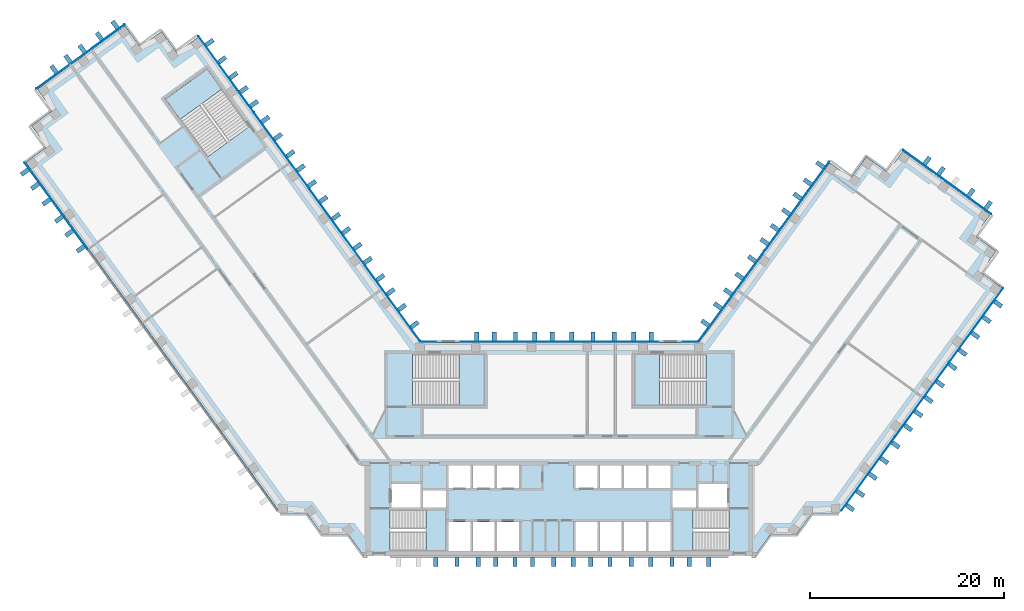
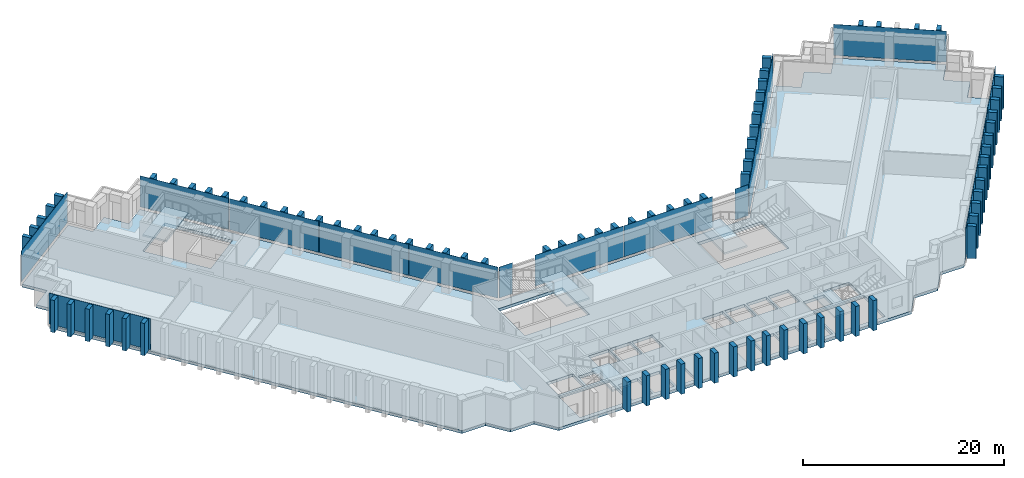
"""IFC4 building model written with IfcOpenShell, lengths in metres."""

from ifc_helpers import new_model, si_unit, direction, frame, origin, origin_2d, place, context, subcontext, project, spatial, polyline, rectangle, outline, extrude, material, layer, layer_set, type_object, element, aggregate, save


model = new_model("IFC4")

# Units and contexts
model_context = context("Model", 3, precision=1e-05, world=origin(), true_north=direction((0.0, 1.0)))
body_context = subcontext(model_context, "Body", "Model", "MODEL_VIEW")
ifc_project = project(units=[si_unit("LENGTHUNIT", "METRE"), si_unit("AREAUNIT", "SQUARE_METRE"), si_unit("VOLUMEUNIT", "CUBIC_METRE"), si_unit("PLANEANGLEUNIT", "RADIAN"), si_unit("MASSUNIT", "GRAM", prefix="KILO")], contexts=[model_context])

# Site, building, storey
site_placement = place(None, origin())
site = spatial("IfcSite", under=ifc_project, at=site_placement, CompositionType="ELEMENT")
building_placement = place(site_placement, origin())
building = spatial("IfcBuilding", under=site, at=building_placement, Name="Quipu Civic Tower", CompositionType="ELEMENT")
storey_1_placement = place(building_placement, frame((0.0, 0.0, 121.0)))
storey_1 = spatial("IfcBuildingStorey", under=building, at=storey_1_placement, Name="L28", CompositionType="ELEMENT", Elevation=121.0)

# Slab
ifc_material_1 = material(Name="Concrete C40/50", Category="concrete")
ifc_layer_1 = layer(ifc_material_1, 0.35009765625)
ifc_layer_set_1 = layer_set([ifc_layer_1], Name="Concrete C40/50")
slab_type_1 = type_object("IfcSlabType", Name="Floor slab 350 C40/50", PredefinedType="FLOOR", material=ifc_layer_set_1)
slab_1_placement = place(storey_1_placement, frame((0.0, 0.0, -0.35009765625)))
element("IfcSlab", 1, at=slab_1_placement, inside=storey_1, type_object=slab_type_1, Name="Floor slab L28", PredefinedType="FLOOR", context=body_context, shape_type="SweptSolid", body=[
    extrude(outline(polyline([(27.909912109375, 29.60498046875), (30.094970703125, 28.014892578125), (31.68505859375, 30.199951171875), (33.864990234375, 28.614990234375), (35.455078125, 30.800048828125), (44.514892578125, 24.215087890625), (42.929931640625, 22.030029296875), (45.114990234375, 20.445068359375), (43.52490234375, 18.260009765625), (45.7099609375, 16.669921875), (28.780029296875, -6.6298828125), (26.080078125, -6.6298828125), (24.489990234375, -8.81494140625), (21.7900390625, -8.81494140625), (20.205078125, -11.0), (-20.205078125, -11.0), (-21.7900390625, -8.81494140625), (-24.489990234375, -8.81494140625), (-26.080078125, -6.6298828125), (-28.780029296875, -6.6298828125), (-55.114990234375, 29.614990234375), (-52.929931640625, 31.205078125), (-54.514892578125, 33.389892578125), (-52.3349609375, 34.97509765625), (-53.919921875, 37.159912109375), (-44.860107421875, 43.739990234375), (-43.27001953125, 41.56005859375), (-41.0849609375, 43.14501953125), (-39.5, 40.9599609375), (-37.31494140625, 42.550048828125), (-14.39501953125, 11.0), (14.39501953125, 11.0), (27.909912109375, 29.60498046875)]), holes=[polyline([(-11.449951171875, -7.5), (-11.449951171875, -10.5), (-9.14990234375, -10.5), (-9.14990234375, -7.5), (-11.449951171875, -7.5)]), polyline([(-8.949951171875, -7.5), (-8.949951171875, -10.5), (-6.64990234375, -10.5), (-6.64990234375, -7.5), (-8.949951171875, -7.5)]), polyline([(-6.449951171875, -7.5), (-6.449951171875, -10.5), (-4.14990234375, -10.5), (-4.14990234375, -7.5), (-6.449951171875, -7.5)]), polyline([(-11.705078125, -10.4951171875), (-11.705078125, -6.2548828125), (-17.4951171875, -6.2548828125), (-17.4951171875, -10.4951171875), (-11.705078125, -10.4951171875)]), polyline([(-11.699951171875, -4.25), (-14.10009765625, -4.25), (-14.10009765625, -6.0), (-11.699951171875, -6.0), (-11.699951171875, -4.25)]), polyline([(-17.35009765625, -3.60009765625), (-17.35009765625, -6.0), (-14.35009765625, -6.0), (-14.35009765625, -3.60009765625), (-17.35009765625, -3.60009765625)]), polyline([(-9.14990234375, -1.699951171875), (-11.449951171875, -1.699951171875), (-11.449951171875, -4.0), (-9.14990234375, -4.0), (-9.14990234375, -1.699951171875)]), polyline([(-6.64990234375, -1.699951171875), (-8.949951171875, -1.699951171875), (-8.949951171875, -4.0), (-6.64990234375, -4.0), (-6.64990234375, -1.699951171875)]), polyline([(-6.449951171875, -1.699951171875), (-6.449951171875, -4.0), (-4.14990234375, -4.0), (-4.14990234375, -1.699951171875), (-6.449951171875, -1.699951171875)]), polyline([(3.949951171875, -1.699951171875), (1.64990234375, -1.699951171875), (1.64990234375, -4.0), (3.949951171875, -4.0), (3.949951171875, -1.699951171875)]), polyline([(-7.7548828125, 4.5048828125), (-7.7548828125, 9.844970703125), (-15.14501953125, 9.844970703125), (-15.14501953125, 4.5048828125), (-7.7548828125, 4.5048828125)]), polyline([(-40.68505859375, 36.135009765625), (-36.344970703125, 30.159912109375), (-32.02490234375, 33.300048828125), (-36.364990234375, 39.27490234375), (-40.68505859375, 36.135009765625)]), polyline([(3.949951171875, -7.5), (1.64990234375, -7.5), (1.64990234375, -10.5), (3.949951171875, -10.5), (3.949951171875, -7.5)]), polyline([(6.449951171875, -7.5), (4.14990234375, -7.5), (4.14990234375, -10.5), (6.449951171875, -10.5), (6.449951171875, -7.5)]), polyline([(6.64990234375, -7.5), (6.64990234375, -10.5), (8.949951171875, -10.5), (8.949951171875, -7.5), (6.64990234375, -7.5)]), polyline([(11.449951171875, -7.5), (9.14990234375, -7.5), (9.14990234375, -10.5), (11.449951171875, -10.5), (11.449951171875, -7.5)]), polyline([(11.705078125, -6.2548828125), (11.705078125, -10.4951171875), (17.4951171875, -10.4951171875), (17.4951171875, -6.2548828125), (11.705078125, -6.2548828125)]), polyline([(11.699951171875, -4.25), (11.699951171875, -6.0), (14.10009765625, -6.0), (14.10009765625, -4.25), (11.699951171875, -4.25)]), polyline([(17.35009765625, -3.60009765625), (14.35009765625, -3.60009765625), (14.35009765625, -6.0), (17.35009765625, -6.0), (17.35009765625, -3.60009765625)]), polyline([(6.449951171875, -1.699951171875), (4.14990234375, -1.699951171875), (4.14990234375, -4.0), (6.449951171875, -4.0), (6.449951171875, -1.699951171875)]), polyline([(6.64990234375, -1.699951171875), (6.64990234375, -4.0), (8.949951171875, -4.0), (8.949951171875, -1.699951171875), (6.64990234375, -1.699951171875)]), polyline([(11.449951171875, -1.699951171875), (9.14990234375, -1.699951171875), (9.14990234375, -4.0), (11.449951171875, -4.0), (11.449951171875, -1.699951171875)]), polyline([(7.7548828125, 9.844970703125), (7.7548828125, 4.5048828125), (15.14501953125, 4.5048828125), (15.14501953125, 9.844970703125), (7.7548828125, 9.844970703125)])]), origin(), (0.0, 0.0, 1.0), 0.35009765625),
])

# Storey
storey_2_placement = place(building_placement, frame((0.0, 0.0, 125.0)))
storey_2 = spatial("IfcBuildingStorey", under=building, at=storey_2_placement, Name="L29", CompositionType="ELEMENT", Elevation=125.0)

# Curtain wall, plates
ifc_material_2 = material(Name="Insulated glass unit", Category="glass")
curtain_wall_type = type_object("IfcCurtainWallType", Name="Office curtain wall CW1", PredefinedType="NOTDEFINED", material=ifc_material_2)
curtain_wall_1_placement = place(storey_2_placement, origin())
curtain_wall_1 = element("IfcCurtainWall", 2, at=curtain_wall_1_placement, inside=storey_2, type_object=curtain_wall_type, Name="Office curtain wall CW1 L28 run 1", PredefinedType="NOTDEFINED")
ifc_material_3 = material(Name="Insulated glass unit", Category="glass")
ifc_layer_2 = layer(ifc_material_3, 0.028076171875)
ifc_layer_set_2 = layer_set([ifc_layer_2], Name="Insulated glass unit")
plate_type_1 = type_object("IfcPlateType", Name="Glass panel CW1", PredefinedType="CURTAIN_PANEL", material=ifc_layer_set_2)
plate_1_placement = place(storey_1_placement, frame((-17.224609375, 15.064697265625, 0.240234375), z_axis=(0.0, 0.0, 1.0), x_axis=(-0.587785887566, 0.809016532822, 0.0)))
plate_1 = element("IfcPlate", 3, at=plate_1_placement, inside=storey_1, type_object=plate_type_1, Name="CW1 panel 1.1", PredefinedType="CURTAIN_PANEL", context=body_context, shape_type="SweptSolid", body=[
    extrude(rectangle(XDim=9.64111328125, YDim=0.028076171875, at=origin_2d()), origin(), (0.0, 0.0, 1.0), 3.760009765625),
])
plate_2_placement = place(storey_1_placement, frame((-22.950439453125, 22.9453125, 0.240234375), z_axis=(0.0, 0.0, 1.0), x_axis=(-0.587785887566, 0.809016532822, 0.0)))
plate_2 = element("IfcPlate", 4, at=plate_2_placement, inside=storey_1, type_object=plate_type_1, Name="CW1 panel 2.1", PredefinedType="CURTAIN_PANEL", context=body_context, shape_type="SweptSolid", body=[
    extrude(rectangle(XDim=9.68115234375, YDim=0.028076171875, at=origin_2d()), origin(), (0.0, 0.0, 1.0), 3.760009765625),
])
plate_3_placement = place(storey_1_placement, frame((-28.687744140625, 30.84228515625, 0.240234375), z_axis=(0.0, 0.0, 1.0), x_axis=(-0.587785887566, 0.809016532822, 0.0)))
plate_3 = element("IfcPlate", 5, at=plate_3_placement, inside=storey_1, type_object=plate_type_1, Name="CW1 panel 3.1", PredefinedType="CURTAIN_PANEL", context=body_context, shape_type="SweptSolid", body=[
    extrude(rectangle(XDim=9.68115234375, YDim=0.028076171875, at=origin_2d()), origin(), (0.0, 0.0, 1.0), 3.760009765625),
])
plate_4_placement = place(storey_1_placement, frame((-34.413330078125, 38.722900390625, 0.240234375), z_axis=(0.0, 0.0, 1.0), x_axis=(-0.587785887566, 0.809016532822, 0.0)))
plate_4 = element("IfcPlate", 6, at=plate_4_placement, inside=storey_1, type_object=plate_type_1, Name="CW1 panel 4.1", PredefinedType="CURTAIN_PANEL", context=body_context, shape_type="SweptSolid", body=[
    extrude(rectangle(XDim=9.64111328125, YDim=0.028076171875, at=origin_2d()), origin(), (0.0, 0.0, 1.0), 3.760009765625),
])
aggregate(curtain_wall_1, [plate_1, plate_2, plate_3, plate_4])

# Curtain wall, plate
curtain_wall_2_placement = place(storey_2_placement, origin())
curtain_wall_2 = element("IfcCurtainWall", 7, at=curtain_wall_2_placement, inside=storey_2, type_object=curtain_wall_type, Name="Office curtain wall CW1 L28 run 6", PredefinedType="NOTDEFINED")
plate_5_placement = place(storey_1_placement, frame((-49.447998046875, 40.53173828125, 0.240234375), z_axis=(0.0, 0.0, 1.0), x_axis=(-0.809019348124, -0.587782012621, 0.0)))
plate_5 = element("IfcPlate", 8, at=plate_5_placement, inside=storey_1, type_object=plate_type_1, Name="CW1 panel 1.1", PredefinedType="CURTAIN_PANEL", context=body_context, shape_type="SweptSolid", body=[
    extrude(rectangle(XDim=11.239990234375, YDim=0.028076171875, at=origin_2d()), origin(), (0.0, 0.0, 1.0), 3.760009765625),
])
aggregate(curtain_wall_2, [plate_5])

curtain_wall_3_placement = place(storey_2_placement, origin())
curtain_wall_3 = element("IfcCurtainWall", 9, at=curtain_wall_3_placement, inside=storey_2, type_object=curtain_wall_type, Name="Office curtain wall CW1 L28 run 11", PredefinedType="NOTDEFINED")
plate_6_placement = place(storey_1_placement, frame((-51.967529296875, 25.114990234375, 0.240234375), z_axis=(0.0, 0.0, 1.0), x_axis=(0.587785559869, -0.809016770908, 0.0)))
plate_6 = element("IfcPlate", 10, at=plate_6_placement, inside=storey_1, type_object=plate_type_1, Name="CW1 panel 1.1", PredefinedType="CURTAIN_PANEL", context=body_context, shape_type="SweptSolid", body=[
    extrude(rectangle(XDim=11.022705078125, YDim=0.028076171875, at=origin_2d()), origin(), (0.0, 0.0, 1.0), 3.760009765625),
])
aggregate(curtain_wall_3, [plate_6])

# Curtain wall, plates
curtain_wall_4_placement = place(storey_2_placement, origin())
curtain_wall_4 = element("IfcCurtainWall", 11, at=curtain_wall_4_placement, inside=storey_2, type_object=curtain_wall_type, Name="Office curtain wall CW1 L28 run 23", PredefinedType="NOTDEFINED")
plate_7_placement = place(storey_1_placement, frame((31.86669921875, -2.551513671875, 0.240234375), z_axis=(0.0, 0.0, 1.0), x_axis=(0.587785375786, 0.809016904652, 0.0)))
plate_7 = element("IfcPlate", 12, at=plate_7_placement, inside=storey_1, type_object=plate_type_1, Name="CW1 panel 1.1", PredefinedType="CURTAIN_PANEL", context=body_context, shape_type="SweptSolid", body=[
    extrude(rectangle(XDim=9.403564453125, YDim=0.028076171875, at=origin_2d()), origin(), (0.0, 0.0, 1.0), 3.760009765625),
])
plate_8_placement = place(storey_1_placement, frame((37.45263671875, 5.13720703125, 0.240234375), z_axis=(0.0, 0.0, 1.0), x_axis=(0.587785375786, 0.809016904652, 0.0)))
plate_8 = element("IfcPlate", 13, at=plate_8_placement, inside=storey_1, type_object=plate_type_1, Name="CW1 panel 2.1", PredefinedType="CURTAIN_PANEL", context=body_context, shape_type="SweptSolid", body=[
    extrude(rectangle(XDim=9.443603515625, YDim=0.028076171875, at=origin_2d()), origin(), (0.0, 0.0, 1.0), 3.760009765625),
])
plate_9_placement = place(storey_1_placement, frame((43.038818359375, 12.82568359375, 0.240234375), z_axis=(0.0, 0.0, 1.0), x_axis=(0.587785375786, 0.809016904652, 0.0)))
plate_9 = element("IfcPlate", 14, at=plate_9_placement, inside=storey_1, type_object=plate_type_1, Name="CW1 panel 3.1", PredefinedType="CURTAIN_PANEL", context=body_context, shape_type="SweptSolid", body=[
    extrude(rectangle(XDim=9.403564453125, YDim=0.028076171875, at=origin_2d()), origin(), (0.0, 0.0, 1.0), 3.760009765625),
])
aggregate(curtain_wall_4, [plate_7, plate_8, plate_9])

# Curtain wall, plate
curtain_wall_5_placement = place(storey_2_placement, origin())
curtain_wall_5 = element("IfcCurtainWall", 15, at=curtain_wall_5_placement, inside=storey_2, type_object=curtain_wall_type, Name="Office curtain wall CW1 L28 run 25", PredefinedType="NOTDEFINED")
plate_10_placement = place(storey_1_placement, frame((40.04345703125, 27.58740234375, 0.240234375), z_axis=(0.0, 0.0, 1.0), x_axis=(-0.809015176832, 0.587787753918, 0.0)))
plate_10 = element("IfcPlate", 16, at=plate_10_placement, inside=storey_1, type_object=plate_type_1, Name="CW1 panel 1.1", PredefinedType="CURTAIN_PANEL", context=body_context, shape_type="SweptSolid", body=[
    extrude(rectangle(XDim=11.239990234375, YDim=0.028076171875, at=origin_2d()), origin(), (0.0, 0.0, 1.0), 3.760009765625),
])
aggregate(curtain_wall_5, [plate_10])

# Curtain wall, plates
curtain_wall_6_placement = place(storey_2_placement, origin())
curtain_wall_6 = element("IfcCurtainWall", 17, at=curtain_wall_6_placement, inside=storey_2, type_object=curtain_wall_type, Name="Office curtain wall CW1 L28 run 30", PredefinedType="NOTDEFINED")
plate_11_placement = place(storey_1_placement, frame((24.491455078125, 25.066162109375, 0.240234375), z_axis=(0.0, 0.0, 1.0), x_axis=(-0.587788727052, -0.809014469803, 0.0)))
plate_11 = element("IfcPlate", 18, at=plate_11_placement, inside=storey_1, type_object=plate_type_1, Name="CW1 panel 1.1", PredefinedType="CURTAIN_PANEL", context=body_context, shape_type="SweptSolid", body=[
    extrude(rectangle(XDim=11.402099609375, YDim=0.028076171875, at=origin_2d()), origin(), (0.0, 0.0, 1.0), 3.760009765625),
])
plate_12_placement = place(storey_1_placement, frame((17.7421875, 15.777099609375, 0.240234375), z_axis=(0.0, 0.0, 1.0), x_axis=(-0.587788727052, -0.809014469803, 0.0)))
plate_12 = element("IfcPlate", 19, at=plate_12_placement, inside=storey_1, type_object=plate_type_1, Name="CW1 panel 2.1", PredefinedType="CURTAIN_PANEL", context=body_context, shape_type="SweptSolid", body=[
    extrude(rectangle(XDim=11.402099609375, YDim=0.028076171875, at=origin_2d()), origin(), (0.0, 0.0, 1.0), 3.760009765625),
])
aggregate(curtain_wall_6, [plate_11, plate_12])

# Curtain wall, plate
curtain_wall_7_placement = place(storey_2_placement, origin())
curtain_wall_7 = element("IfcCurtainWall", 20, at=curtain_wall_7_placement, inside=storey_2, type_object=curtain_wall_type, Name="Office curtain wall CW1 L28 run 31", PredefinedType="NOTDEFINED")
plate_13_placement = place(storey_1_placement, frame((13.49951171875, 11.10009765625, 0.240234375), z_axis=(0.0, 0.0, 1.0), x_axis=(-1.0, 0.0, 0.0)))
plate_13 = element("IfcPlate", 21, at=plate_13_placement, inside=storey_1, type_object=plate_type_1, Name="CW1 panel 1.1", PredefinedType="CURTAIN_PANEL", context=body_context, shape_type="SweptSolid", body=[
    extrude(rectangle(XDim=1.529296875, YDim=0.028076171875, at=origin_2d()), origin(), (0.0, 0.0, 1.0), 3.760009765625),
])
aggregate(curtain_wall_7, [plate_13])

# Curtain wall, plates
curtain_wall_8_placement = place(storey_2_placement, origin())
curtain_wall_8 = element("IfcCurtainWall", 22, at=curtain_wall_8_placement, inside=storey_2, type_object=curtain_wall_type, Name="Office curtain wall CW1 L28 run 33", PredefinedType="NOTDEFINED")
plate_14_placement = place(storey_1_placement, frame((5.11181640625, 11.10009765625, 0.240234375), z_axis=(0.0, 0.0, 1.0), x_axis=(-1.0, 0.0, 0.0)))
plate_14 = element("IfcPlate", 23, at=plate_14_placement, inside=storey_1, type_object=plate_type_1, Name="CW1 panel 1.1", PredefinedType="CURTAIN_PANEL", context=body_context, shape_type="SweptSolid", body=[
    extrude(rectangle(XDim=10.1435546875, YDim=0.028076171875, at=origin_2d()), origin(), (0.0, 0.0, 1.0), 3.760009765625),
])
plate_15_placement = place(storey_1_placement, frame((-5.11181640625, 11.10009765625, 0.240234375), z_axis=(0.0, 0.0, 1.0), x_axis=(-1.0, 0.0, 0.0)))
plate_15 = element("IfcPlate", 24, at=plate_15_placement, inside=storey_1, type_object=plate_type_1, Name="CW1 panel 2.1", PredefinedType="CURTAIN_PANEL", context=body_context, shape_type="SweptSolid", body=[
    extrude(rectangle(XDim=10.1435546875, YDim=0.028076171875, at=origin_2d()), origin(), (0.0, 0.0, 1.0), 3.760009765625),
])
aggregate(curtain_wall_8, [plate_14, plate_15])

# Curtain wall, plate
curtain_wall_9_placement = place(storey_2_placement, origin())
curtain_wall_9 = element("IfcCurtainWall", 25, at=curtain_wall_9_placement, inside=storey_2, type_object=curtain_wall_type, Name="Office curtain wall CW1 L28 run 35", PredefinedType="NOTDEFINED")
plate_16_placement = place(storey_1_placement, frame((-13.49951171875, 11.10009765625, 0.240234375), z_axis=(0.0, 0.0, 1.0), x_axis=(-1.0, 0.0, 0.0)))
plate_16 = element("IfcPlate", 26, at=plate_16_placement, inside=storey_1, type_object=plate_type_1, Name="CW1 panel 1.1", PredefinedType="CURTAIN_PANEL", context=body_context, shape_type="SweptSolid", body=[
    extrude(rectangle(XDim=1.529296875, YDim=0.028076171875, at=origin_2d()), origin(), (0.0, 0.0, 1.0), 3.760009765625),
])
aggregate(curtain_wall_9, [plate_16])

# Plates
ifc_material_4 = material(Name="Precast concrete C40/50", Category="concrete")
plate_type_2 = type_object("IfcPlateType", Name="Precast fin F1", PredefinedType="SHEET", material=ifc_material_4)
for number, where, z_axis, x_axis, name in (
    (27, (-14.942138671875, 12.8583984375, 0.080078125), (0.0, 0.0, 1.0), (-0.587784944053, 0.809017218324, 0.0), "Precast fin F1 L28.1.1"),
    (28, (-16.235107421875, 14.638427734375, 0.080078125), (0.0, 0.0, 1.0), (-0.587784944053, 0.809017218324, 0.0), "Precast fin F1 L28.1.2"),
    (29, (-17.41064453125, 16.25634765625, 0.080078125), (0.0, 0.0, 1.0), (-0.587784944053, 0.809017218324, 0.0), "Precast fin F1 L28.1.3"),
    (30, (-18.46875, 17.712646484375, 0.080078125), (0.0, 0.0, 1.0), (-0.587784944053, 0.809017218324, 0.0), "Precast fin F1 L28.1.4"),
    (31, (-19.761962890625, 19.492431640625, 0.080078125), (0.0, 0.0, 1.0), (-0.587784944053, 0.809017218324, 0.0), "Precast fin F1 L28.1.5"),
    (32, (-20.81982421875, 20.94873046875, 0.080078125), (0.0, 0.0, 1.0), (-0.587784944053, 0.809017218324, 0.0), "Precast fin F1 L28.1.6"),
    (33, (-21.995361328125, 22.566650390625, 0.080078125), (0.0, 0.0, 1.0), (-0.587784944053, 0.809017218324, 0.0), "Precast fin F1 L28.1.7"),
    (34, (-23.053466796875, 24.02294921875, 0.080078125), (0.0, 0.0, 1.0), (-0.587784944053, 0.809017218324, 0.0), "Precast fin F1 L28.1.8"),
    (35, (-24.3466796875, 25.802734375, 0.080078125), (0.0, 0.0, 1.0), (-0.587784944053, 0.809017218324, 0.0), "Precast fin F1 L28.1.9"),
    (36, (-25.522216796875, 27.4208984375, 0.080078125), (0.0, 0.0, 1.0), (-0.587784944053, 0.809017218324, 0.0), "Precast fin F1 L28.1.10"),
    (37, (-26.69775390625, 29.038818359375, 0.080078125), (0.0, 0.0, 1.0), (-0.587784944053, 0.809017218324, 0.0), "Precast fin F1 L28.1.11"),
    (38, (-27.755859375, 30.4951171875, 0.080078125), (0.0, 0.0, 1.0), (-0.587784944053, 0.809017218324, 0.0), "Precast fin F1 L28.1.12"),
    (39, (-29.048828125, 32.27490234375, 0.080078125), (0.0, 0.0, 1.0), (-0.587784944053, 0.809017218324, 0.0), "Precast fin F1 L28.1.13"),
    (40, (-30.342041015625, 34.0546875, 0.080078125), (0.0, 0.0, 1.0), (-0.587784944053, 0.809017218324, 0.0), "Precast fin F1 L28.1.14"),
    (41, (-31.517578125, 35.6728515625, 0.080078125), (0.0, 0.0, 1.0), (-0.587784944053, 0.809017218324, 0.0), "Precast fin F1 L28.1.15"),
    (42, (-32.57568359375, 37.129150390625, 0.080078125), (0.0, 0.0, 1.0), (-0.587784944053, 0.809017218324, 0.0), "Precast fin F1 L28.1.16"),
    (43, (-33.633544921875, 38.585205078125, 0.080078125), (0.0, 0.0, 1.0), (-0.587784944053, 0.809017218324, 0.0), "Precast fin F1 L28.1.17"),
    (44, (-34.80908203125, 40.203369140625, 0.080078125), (0.0, 0.0, 1.0), (-0.587784944053, 0.809017218324, 0.0), "Precast fin F1 L28.1.18"),
    (45, (-36.102294921875, 41.983154296875, 0.080078125), (0.0, 0.0, 1.0), (-0.587784944053, 0.809017218324, 0.0), "Precast fin F1 L28.1.19"),
    (46, (-45.867919921875, 43.812744140625, 0.080078125), (0.0, 0.0, 1.0), (-0.809021318545, -0.587779300537, 0.0), "Precast fin F1 L28.6.1"),
    (47, (-47.48583984375, 42.63720703125, 0.080078125), (0.0, 0.0, 1.0), (-0.809021318545, -0.587779300537, 0.0), "Precast fin F1 L28.6.2"),
    (48, (-49.265625, 41.343994140625, 0.080078125), (0.0, 0.0, 1.0), (-0.809021318545, -0.587779300537, 0.0), "Precast fin F1 L28.6.3"),
    (49, (-50.721923828125, 40.2861328125, 0.080078125), (0.0, 0.0, 1.0), (-0.809021318545, -0.587779300537, 0.0), "Precast fin F1 L28.6.4"),
    (50, (-52.17822265625, 39.22802734375, 0.080078125), (0.0, 0.0, 1.0), (-0.809021318545, -0.587779300537, 0.0), "Precast fin F1 L28.6.5"),
    (51, (-55.184814453125, 28.607421875, 0.080078125), (0.0, 0.0, 1.0), (0.587785716149, -0.809016657363, 0.0), "Precast fin F1 L28.11.1"),
    (52, (-54.126708984375, 27.151123046875, 0.080078125), (0.0, 0.0, 1.0), (0.587785716149, -0.809016657363, 0.0), "Precast fin F1 L28.11.2"),
    (53, (-52.951171875, 25.533203125, 0.080078125), (0.0, 0.0, 1.0), (0.587785716149, -0.809016657363, 0.0), "Precast fin F1 L28.11.3"),
    (54, (-51.657958984375, 23.75341796875, 0.080078125), (0.0, 0.0, 1.0), (0.587785716149, -0.809016657363, 0.0), "Precast fin F1 L28.11.4"),
    (55, (-50.60009765625, 22.297119140625, 0.080078125), (0.0, 0.0, 1.0), (0.587785716149, -0.809016657363, 0.0), "Precast fin F1 L28.11.5"),
    (56, (-49.42431640625, 20.67919921875, 0.080078125), (0.0, 0.0, 1.0), (0.587785716149, -0.809016657363, 0.0), "Precast fin F1 L28.11.6"),
):
    element("IfcPlate", number, at=place(storey_1_placement, frame(where, z_axis=z_axis, x_axis=x_axis)), inside=storey_1, type_object=plate_type_2, Name=name, PredefinedType="SHEET", context=body_context, shape_type="SweptSolid", body=[
        extrude(rectangle(XDim=0.449951171875, YDim=0.89990234375, at=origin_2d()), origin(), (0.0, 0.0, 1.0), 3.919921875),
    ])
for number, where, z_axis, x_axis, name in (
    (57, (-12.77490234375, -11.637939453125, 0.0), (0.0, 0.0, 1.0), (1.0, 0.0, 0.0), "Precast fin F1 L28.17.3"),
    (58, (-10.574951171875, -11.637939453125, 0.0), (0.0, 0.0, 1.0), (1.0, 0.0, 0.0), "Precast fin F1 L28.17.4"),
    (59, (-8.375, -11.637939453125, 0.0), (0.0, 0.0, 1.0), (1.0, 0.0, 0.0), "Precast fin F1 L28.17.5"),
    (60, (-6.574951171875, -11.637939453125, 0.0), (0.0, 0.0, 1.0), (1.0, 0.0, 0.0), "Precast fin F1 L28.17.6"),
    (61, (-4.574951171875, -11.637939453125, 0.0), (0.0, 0.0, 1.0), (1.0, 0.0, 0.0), "Precast fin F1 L28.17.7"),
    (62, (-2.77490234375, -11.637939453125, 0.0), (0.0, 0.0, 1.0), (1.0, 0.0, 0.0), "Precast fin F1 L28.17.8"),
    (63, (-0.574951171875, -11.637939453125, 0.0), (0.0, 0.0, 1.0), (1.0, 0.0, 0.0), "Precast fin F1 L28.17.9"),
    (64, (1.425048828125, -11.637939453125, 0.0), (0.0, 0.0, 1.0), (1.0, 0.0, 0.0), "Precast fin F1 L28.17.10"),
    (65, (3.22509765625, -11.637939453125, 0.0), (0.0, 0.0, 1.0), (1.0, 0.0, 0.0), "Precast fin F1 L28.17.11"),
    (66, (5.22509765625, -11.637939453125, 0.0), (0.0, 0.0, 1.0), (1.0, 0.0, 0.0), "Precast fin F1 L28.17.12"),
    (67, (7.425048828125, -11.637939453125, 0.0), (0.0, 0.0, 1.0), (1.0, 0.0, 0.0), "Precast fin F1 L28.17.13"),
    (68, (9.425048828125, -11.637939453125, 0.0), (0.0, 0.0, 1.0), (1.0, 0.0, 0.0), "Precast fin F1 L28.17.14"),
    (69, (11.625, -11.637939453125, 0.0), (0.0, 0.0, 1.0), (1.0, 0.0, 0.0), "Precast fin F1 L28.17.15"),
    (70, (13.425048828125, -11.637939453125, 0.0), (0.0, 0.0, 1.0), (1.0, 0.0, 0.0), "Precast fin F1 L28.17.16"),
    (71, (15.425048828125, -11.637939453125, 0.0), (0.0, 0.0, 1.0), (1.0, 0.0, 0.0), "Precast fin F1 L28.17.17"),
):
    element("IfcPlate", number, at=place(storey_1_placement, frame(where, z_axis=z_axis, x_axis=x_axis)), inside=storey_1, type_object=plate_type_2, Name=name, PredefinedType="SHEET", context=body_context, shape_type="SweptSolid", body=[
        extrude(rectangle(XDim=0.449951171875, YDim=0.89990234375, at=origin_2d()), origin(), (0.0, 0.0, 1.0), 3.64990234375),
    ])
for number, where, z_axis, x_axis, name in (
    (72, (30.014404296875, -6.036376953125, 0.080078125), (0.0, 0.0, 1.0), (0.587785620359, 0.809016726959, 0.0), "Precast fin F1 L28.23.1"),
    (73, (31.072509765625, -4.580078125, 0.080078125), (0.0, 0.0, 1.0), (0.587785620359, 0.809016726959, 0.0), "Precast fin F1 L28.23.2"),
    (74, (32.36572265625, -2.80029296875, 0.080078125), (0.0, 0.0, 1.0), (0.587785620359, 0.809016726959, 0.0), "Precast fin F1 L28.23.3"),
    (75, (33.541259765625, -1.18212890625, 0.080078125), (0.0, 0.0, 1.0), (0.587785620359, 0.809016726959, 0.0), "Precast fin F1 L28.23.4"),
    (76, (34.716796875, 0.435791015625, 0.080078125), (0.0, 0.0, 1.0), (0.587785620359, 0.809016726959, 0.0), "Precast fin F1 L28.23.5"),
    (77, (36.010009765625, 2.215576171875, 0.080078125), (0.0, 0.0, 1.0), (0.587785620359, 0.809016726959, 0.0), "Precast fin F1 L28.23.6"),
    (78, (37.06787109375, 3.671875, 0.080078125), (0.0, 0.0, 1.0), (0.587785620359, 0.809016726959, 0.0), "Precast fin F1 L28.23.7"),
    (79, (38.1259765625, 5.128173828125, 0.080078125), (0.0, 0.0, 1.0), (0.587785620359, 0.809016726959, 0.0), "Precast fin F1 L28.23.8"),
    (80, (39.301513671875, 6.74609375, 0.080078125), (0.0, 0.0, 1.0), (0.587785620359, 0.809016726959, 0.0), "Precast fin F1 L28.23.9"),
    (81, (40.5947265625, 8.52587890625, 0.080078125), (0.0, 0.0, 1.0), (0.587785620359, 0.809016726959, 0.0), "Precast fin F1 L28.23.10"),
    (82, (41.652587890625, 9.982177734375, 0.080078125), (0.0, 0.0, 1.0), (0.587785620359, 0.809016726959, 0.0), "Precast fin F1 L28.23.11"),
    (83, (42.94580078125, 11.761962890625, 0.080078125), (0.0, 0.0, 1.0), (0.587785620359, 0.809016726959, 0.0), "Precast fin F1 L28.23.12"),
    (84, (44.121337890625, 13.380126953125, 0.080078125), (0.0, 0.0, 1.0), (0.587785620359, 0.809016726959, 0.0), "Precast fin F1 L28.23.13"),
    (85, (45.296875, 14.998046875, 0.080078125), (0.0, 0.0, 1.0), (0.587785620359, 0.809016726959, 0.0), "Precast fin F1 L28.23.14"),
    (86, (44.270263671875, 25.1962890625, 0.080078125), (0.0, 0.0, 1.0), (-0.809017072762, 0.587785144401, 0.0), "Precast fin F1 L28.25.1"),
    (87, (42.490478515625, 26.489501953125, 0.080078125), (0.0, 0.0, 1.0), (-0.809017072762, 0.587785144401, 0.0), "Precast fin F1 L28.25.2"),
    (88, (39.416259765625, 28.72314453125, 0.080078125), (0.0, 0.0, 1.0), (-0.809017072762, 0.587785144401, 0.0), "Precast fin F1 L28.25.4"),
    (89, (37.9599609375, 29.781005859375, 0.080078125), (0.0, 0.0, 1.0), (-0.809017072762, 0.587785144401, 0.0), "Precast fin F1 L28.25.5"),
    (90, (26.93017578125, 29.358642578125, 0.080078125), (0.0, 0.0, 1.0), (-0.587787133119, -0.809015627871, 0.0), "Precast fin F1 L28.30.1"),
    (91, (25.636962890625, 27.578857421875, 0.080078125), (0.0, 0.0, 1.0), (-0.587787133119, -0.809015627871, 0.0), "Precast fin F1 L28.30.2"),
    (92, (24.578857421875, 26.12255859375, 0.080078125), (0.0, 0.0, 1.0), (-0.587787133119, -0.809015627871, 0.0), "Precast fin F1 L28.30.3"),
    (93, (23.4033203125, 24.50439453125, 0.080078125), (0.0, 0.0, 1.0), (-0.587787133119, -0.809015627871, 0.0), "Precast fin F1 L28.30.4"),
    (94, (22.227783203125, 22.886474609375, 0.080078125), (0.0, 0.0, 1.0), (-0.587787133119, -0.809015627871, 0.0), "Precast fin F1 L28.30.5"),
    (95, (21.169677734375, 21.43017578125, 0.080078125), (0.0, 0.0, 1.0), (-0.587787133119, -0.809015627871, 0.0), "Precast fin F1 L28.30.6"),
    (96, (19.876708984375, 19.650390625, 0.080078125), (0.0, 0.0, 1.0), (-0.587787133119, -0.809015627871, 0.0), "Precast fin F1 L28.30.7"),
    (97, (18.58349609375, 17.87060546875, 0.080078125), (0.0, 0.0, 1.0), (-0.587787133119, -0.809015627871, 0.0), "Precast fin F1 L28.30.8"),
    (98, (17.407958984375, 16.25244140625, 0.080078125), (0.0, 0.0, 1.0), (-0.587787133119, -0.809015627871, 0.0), "Precast fin F1 L28.30.9"),
    (99, (16.349853515625, 14.79638671875, 0.080078125), (0.0, 0.0, 1.0), (-0.587787133119, -0.809015627871, 0.0), "Precast fin F1 L28.30.10"),
    (100, (15.056884765625, 13.016357421875, 0.080078125), (0.0, 0.0, 1.0), (-0.587787133119, -0.809015627871, 0.0), "Precast fin F1 L28.30.11"),
    (101, (9.47509765625, 11.64990234375, 0.080078125), (0.0, 0.0, 1.0), (-1.0, 0.0, 0.0), "Precast fin F1 L28.33.1"),
    (102, (7.675048828125, 11.64990234375, 0.080078125), (0.0, 0.0, 1.0), (-1.0, 0.0, 0.0), "Precast fin F1 L28.33.2"),
    (103, (5.675048828125, 11.64990234375, 0.080078125), (0.0, 0.0, 1.0), (-1.0, 0.0, 0.0), "Precast fin F1 L28.33.3"),
    (104, (3.47509765625, 11.64990234375, 0.080078125), (0.0, 0.0, 1.0), (-1.0, 0.0, 0.0), "Precast fin F1 L28.33.4"),
    (105, (1.27490234375, 11.64990234375, 0.080078125), (0.0, 0.0, 1.0), (-1.0, 0.0, 0.0), "Precast fin F1 L28.33.5"),
    (106, (-0.72509765625, 11.64990234375, 0.080078125), (0.0, 0.0, 1.0), (-1.0, 0.0, 0.0), "Precast fin F1 L28.33.6"),
    (107, (-2.52490234375, 11.64990234375, 0.080078125), (0.0, 0.0, 1.0), (-1.0, 0.0, 0.0), "Precast fin F1 L28.33.7"),
    (108, (-4.52490234375, 11.64990234375, 0.080078125), (0.0, 0.0, 1.0), (-1.0, 0.0, 0.0), "Precast fin F1 L28.33.8"),
    (109, (-6.72509765625, 11.64990234375, 0.080078125), (0.0, 0.0, 1.0), (-1.0, 0.0, 0.0), "Precast fin F1 L28.33.9"),
    (110, (-8.52490234375, 11.64990234375, 0.080078125), (0.0, 0.0, 1.0), (-1.0, 0.0, 0.0), "Precast fin F1 L28.33.10"),
):
    element("IfcPlate", number, at=place(storey_1_placement, frame(where, z_axis=z_axis, x_axis=x_axis)), inside=storey_1, type_object=plate_type_2, Name=name, PredefinedType="SHEET", context=body_context, shape_type="SweptSolid", body=[
        extrude(rectangle(XDim=0.449951171875, YDim=0.89990234375, at=origin_2d()), origin(), (0.0, 0.0, 1.0), 3.919921875),
    ])

# Stair, slab
ifc_material_5 = material(Name="Concrete C40/50", Category="concrete")
stair_type_1 = type_object("IfcStairType", Name="Half turn stair 2000", PredefinedType="HALF_TURN_STAIR", material=ifc_material_5)
stair_1_placement = place(storey_1_placement, origin())
stair_1 = element("IfcStair", 111, at=stair_1_placement, inside=storey_1, type_object=stair_type_1, Name="Exit stair 1", PredefinedType="HALF_TURN_STAIR")
ifc_material_6 = material(Name="Concrete C40/50", Category="concrete")
ifc_layer_3 = layer(ifc_material_6, 0.199951171875)
ifc_layer_set_3 = layer_set([ifc_layer_3], Name="Concrete C40/50")
slab_type_2 = type_object("IfcSlabType", Name="Stair landing 200", PredefinedType="LANDING", material=ifc_layer_set_3)
slab_2_placement = place(storey_1_placement, frame((0.0, 0.0, 1.800048828125)))
slab_2 = element("IfcSlab", 112, at=slab_2_placement, type_object=slab_type_2, Name="ST-1 landing 1", PredefinedType="LANDING", context=body_context, shape_type="SweptSolid", body=[
    extrude(outline(polyline([(-13.780029296875, -10.5), (-11.699951171875, -10.5), (-11.699951171875, -6.25), (-13.780029296875, -6.25), (-13.780029296875, -10.5)])), origin(), (0.0, 0.0, 1.0), 0.199951171875),
])
aggregate(stair_1, [slab_2])

stair_2_placement = place(storey_1_placement, origin())
stair_2 = element("IfcStair", 113, at=stair_2_placement, inside=storey_1, type_object=stair_type_1, Name="Exit stair 2", PredefinedType="HALF_TURN_STAIR")
slab_3_placement = place(storey_1_placement, frame((0.0, 0.0, 1.800048828125)))
slab_3 = element("IfcSlab", 114, at=slab_3_placement, type_object=slab_type_2, Name="ST-2 landing 1", PredefinedType="LANDING", context=body_context, shape_type="SweptSolid", body=[
    extrude(outline(polyline([(13.780029296875, -6.25), (11.699951171875, -6.25), (11.699951171875, -10.5), (13.780029296875, -10.5), (13.780029296875, -6.25)])), origin(), (0.0, 0.0, 1.0), 0.199951171875),
])
aggregate(stair_2, [slab_3])

ifc_material_7 = material(Name="Concrete C40/50", Category="concrete")
stair_type_2 = type_object("IfcStairType", Name="Half turn stair 2600", PredefinedType="HALF_TURN_STAIR", material=ifc_material_7)
stair_3_placement = place(storey_1_placement, origin())
stair_3 = element("IfcStair", 115, at=stair_3_placement, inside=storey_1, type_object=stair_type_2, Name="Exit stair 3", PredefinedType="HALF_TURN_STAIR")
slab_4_placement = place(storey_1_placement, frame((0.0, 0.0, 1.800048828125)))
slab_4 = element("IfcSlab", 116, at=slab_4_placement, type_object=slab_type_2, Name="ST-3 landing 1", PredefinedType="LANDING", context=body_context, shape_type="SweptSolid", body=[
    extrude(outline(polyline([(-10.35009765625, 4.5), (-7.75, 4.5), (-7.75, 9.85009765625), (-10.35009765625, 9.85009765625), (-10.35009765625, 4.5)])), origin(), (0.0, 0.0, 1.0), 0.199951171875),
])
aggregate(stair_3, [slab_4])

stair_4_placement = place(storey_1_placement, origin())
stair_4 = element("IfcStair", 117, at=stair_4_placement, inside=storey_1, type_object=stair_type_2, Name="Exit stair 4", PredefinedType="HALF_TURN_STAIR")
slab_5_placement = place(storey_1_placement, frame((0.0, 0.0, 1.800048828125)))
slab_5 = element("IfcSlab", 118, at=slab_5_placement, type_object=slab_type_2, Name="ST-4 landing 1", PredefinedType="LANDING", context=body_context, shape_type="SweptSolid", body=[
    extrude(outline(polyline([(10.35009765625, 9.85009765625), (7.75, 9.85009765625), (7.75, 4.5), (10.35009765625, 4.5), (10.35009765625, 9.85009765625)])), origin(), (0.0, 0.0, 1.0), 0.199951171875),
])
aggregate(stair_4, [slab_5])

stair_5_placement = place(storey_1_placement, origin())
stair_5 = element("IfcStair", 119, at=stair_5_placement, inside=storey_1, type_object=stair_type_2, Name="Exit stair 6", PredefinedType="HALF_TURN_STAIR")
slab_6_placement = place(storey_1_placement, frame((0.0, 0.0, 1.800048828125)))
slab_6 = element("IfcSlab", 120, at=slab_6_placement, type_object=slab_type_2, Name="ST-6 landing 1", PredefinedType="LANDING", context=body_context, shape_type="SweptSolid", body=[
    extrude(outline(polyline([(-34.837158203125, 37.179443359375), (-36.365478515625, 39.282958984375), (-40.69384765625, 36.138427734375), (-39.16552734375, 34.034912109375), (-34.837158203125, 37.179443359375)])), origin(), (0.0, 0.0, 1.0), 0.199951171875),
])
aggregate(stair_5, [slab_6])

save(model, "model.ifc")
